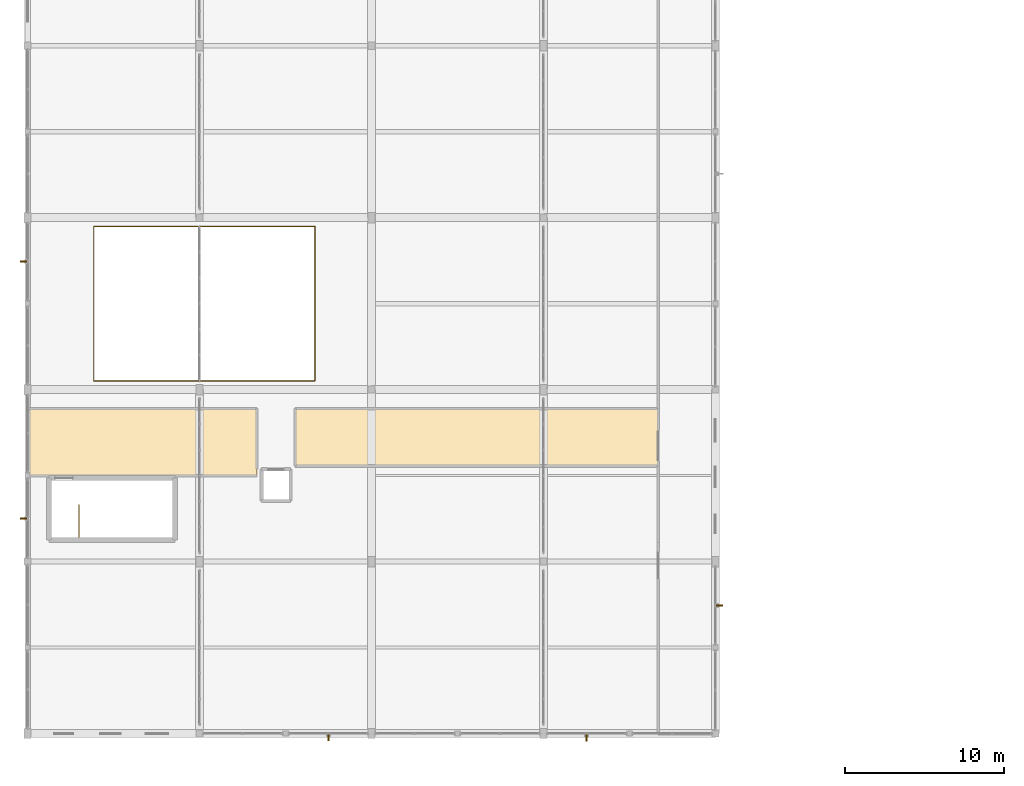
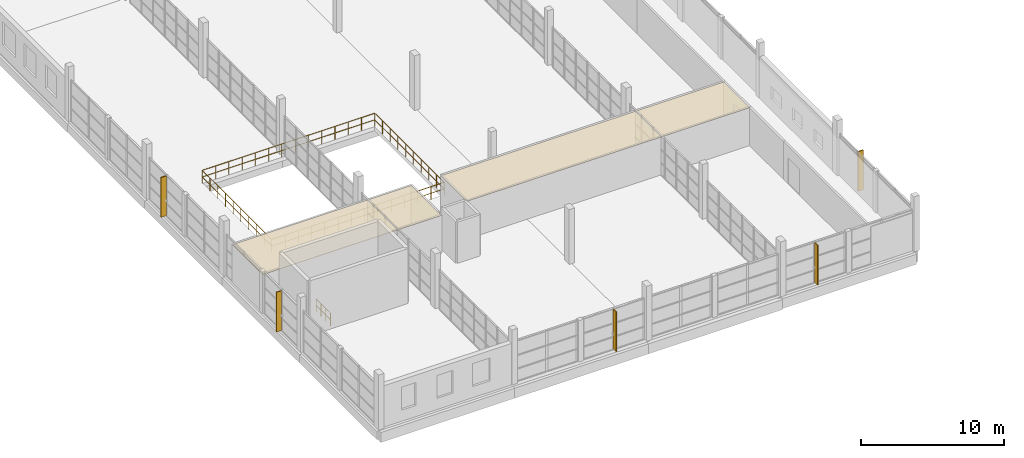
# One storey, part 128 of 142: 5 shading devices, 2 coverings, 2 railings.
"""IFC4 building model written with IfcOpenShell, lengths in metres."""

import ifcopenshell
import ifcopenshell.guid

model = None  # the IFC model being written
_history = None  # IfcOwnerHistory: only IFC2X3 demands one
_inside = {}  # id of a spatial element -> (the spatial element, [elements in it])
_under = {}  # id of a project, library or spatial element -> (it, [spatial elements below it])
_declared = {}  # id of a project -> (the project, [libraries it declares])
_typed = {}  # id of a type object -> (the type object, [elements of that type])
_made_of = {}  # id of a material, layer set ... -> (it, [elements and type objects made of it])


def new_model(schema):
    """Start an empty IFC model of exactly this schema.

    Asked for "IFC4X3", IfcOpenShell would pick the latest addendum, in which some entities
    have other attributes; the version numbers below select the first issue.
    IFC2X3 requires an IfcOwnerHistory on every rooted entity: one is made here for all.
    """
    global model, _history
    if schema == "IFC4X3":
        model = ifcopenshell.file(schema_version=(4, 3, 0, 0))
    else:
        model = ifcopenshell.file(schema=schema)
    _inside.clear()
    _under.clear()
    _declared.clear()
    _typed.clear()
    _made_of.clear()
    _history = None
    if model.schema == "IFC2X3":
        org = make("IfcOrganization", Name="unknown")
        user = make(
            "IfcPersonAndOrganization",
            ThePerson=make("IfcPerson", FamilyName="unknown"),
            TheOrganization=org,
        )
        app = make(
            "IfcApplication",
            ApplicationDeveloper=org,
            Version="unknown",
            ApplicationFullName="unknown",
            ApplicationIdentifier="unknown",
        )
        _history = make(
            "IfcOwnerHistory",
            OwningUser=user,
            OwningApplication=app,
            ChangeAction="ADDED",
            CreationDate=0,
        )
    return model


def make(cls, **values):
    """One entity of the class cls with the attributes given. An attribute that is None is left unset."""
    return model.create_entity(
        cls, **{name: value for name, value in values.items() if value is not None}
    )


def rooted(cls, **values):
    """An entity with a GlobalId (a new one), such as an element, a storey or a relation."""
    return make(cls, GlobalId=ifcopenshell.guid.new(), OwnerHistory=_history, **values)


def si_unit(unit_type, name, prefix=None):
    """IfcSIUnit, for example si_unit("LENGTHUNIT", "METRE", prefix="MILLI")."""
    return make("IfcSIUnit", UnitType=unit_type, Prefix=prefix, Name=name)


def assignment(units):
    """IfcUnitAssignment: the units of a project."""
    return None if units is None else make("IfcUnitAssignment", Units=units)


def point(xyz):
    """IfcCartesianPoint."""
    return None if xyz is None else make("IfcCartesianPoint", Coordinates=xyz)


def direction(xyz):
    """IfcDirection."""
    return None if xyz is None else make("IfcDirection", DirectionRatios=xyz)


def frame(location, z_axis=None, x_axis=None):
    """IfcAxis2Placement3D, a coordinate frame: its origin and axes. An axis left out is left unset."""
    return make(
        "IfcAxis2Placement3D",
        Location=point(location),
        Axis=direction(z_axis),
        RefDirection=direction(x_axis),
    )


def frame_2d(location, x_axis=None):
    """IfcAxis2Placement2D, a coordinate frame in the plane: its origin and x axis."""
    return make(
        "IfcAxis2Placement2D", Location=point(location), RefDirection=direction(x_axis)
    )


def origin():
    """The frame at (0, 0, 0) with its axes left unset."""
    return frame((0.0, 0.0, 0.0))


def origin_2d():
    """The frame at (0, 0) in the plane with its x axis left unset."""
    return frame_2d((0.0, 0.0))


def place(relative_to, where):
    """IfcLocalPlacement: puts the frame where relative to a parent placement (None: the world)."""
    return make(
        "IfcLocalPlacement", PlacementRelTo=relative_to, RelativePlacement=where
    )


def context(
    kind, dimensions, precision=None, world=None, true_north=None, identifier=None
):
    """IfcGeometricRepresentationContext, for example the 3D "Model" context."""
    return make(
        "IfcGeometricRepresentationContext",
        ContextIdentifier=identifier,
        ContextType=kind,
        CoordinateSpaceDimension=dimensions,
        Precision=precision,
        WorldCoordinateSystem=world,
        TrueNorth=true_north,
    )


def subcontext(parent, identifier, kind, view, scale=None):
    """IfcGeometricRepresentationSubContext, for example "Body" below "Model"."""
    return make(
        "IfcGeometricRepresentationSubContext",
        ContextIdentifier=identifier,
        ContextType=kind,
        ParentContext=parent,
        TargetScale=scale,
        TargetView=view,
    )


def project(units=None, contexts=None):
    """IfcProject with its units and contexts."""
    return rooted(
        "IfcProject",
        Name="project",
        RepresentationContexts=contexts,
        UnitsInContext=assignment(units),
    )


def spatial(cls, under=None, at=None, **own):
    """A site, building, storey or space (cls), placed at a placement, below another one or the project."""
    s = rooted(cls, ObjectPlacement=at, **own)
    if under is not None:
        _under.setdefault(under.id(), (under, []))[1].append(s)
    return s


def polyline(points):
    """IfcPolyline through the points."""
    return make("IfcPolyline", Points=[point(p) for p in points])


def profile(cls, at=None, kind="AREA", **sizes):
    """A parametric profile (cls). Its sizes go by their IFC names, for example OverallWidth=200.0."""
    return make(cls, ProfileType=kind, Position=at, **sizes)


def rectangle(**sizes):
    """IfcRectangleProfileDef."""
    return profile("IfcRectangleProfileDef", **sizes)


def circle(**sizes):
    """IfcCircleProfileDef."""
    return profile("IfcCircleProfileDef", **sizes)


def outline(outer, holes=None, kind="AREA"):
    """IfcArbitraryClosedProfileDef: a profile drawn as a closed curve; with holes, ...WithVoids."""
    if holes is None:
        return make("IfcArbitraryClosedProfileDef", ProfileType=kind, OuterCurve=outer)
    return make(
        "IfcArbitraryProfileDefWithVoids",
        ProfileType=kind,
        OuterCurve=outer,
        InnerCurves=holes,
    )


def extrude(swept, where, along, depth):
    """IfcExtrudedAreaSolid: the profile swept, set in the frame where, extruded along a direction by depth."""
    return make(
        "IfcExtrudedAreaSolid",
        SweptArea=swept,
        Position=where,
        ExtrudedDirection=direction(along),
        Depth=depth,
    )


def shape(context_of_items, identifier, shape_type, items):
    """IfcShapeRepresentation: the items that make up one representation, for example the "Body"."""
    return make(
        "IfcShapeRepresentation",
        ContextOfItems=context_of_items,
        RepresentationIdentifier=identifier,
        RepresentationType=shape_type,
        Items=items,
    )


def material(Name=None, Category=None):
    """IfcMaterial."""
    return make("IfcMaterial", Name=Name, Category=Category)


def layer(
    of_material, thickness, ventilated=None, Name=None, Category=None, Priority=None
):
    """IfcMaterialLayer: one layer of a wall or slab, of a material (None: an air gap)."""
    return make(
        "IfcMaterialLayer",
        Material=of_material,
        LayerThickness=thickness,
        IsVentilated=ventilated,
        Name=Name,
        Category=Category,
        Priority=Priority,
    )


def layer_set(layers, Name=None):
    """IfcMaterialLayerSet."""
    return make("IfcMaterialLayerSet", MaterialLayers=layers, LayerSetName=Name)


def made_of(thing, what):
    """Note that an element or type object is made of a material, layer set ...; save() writes the relation."""
    if what is not None:
        _made_of.setdefault(what.id(), (what, []))[1].append(thing)
    return thing


def type_object(cls, material=None, **own):
    """A type object (cls), such as IfcWallType, which elements share."""
    return made_of(rooted(cls, **own), material)


def element(
    cls,
    number,
    at=None,
    inside=None,
    cuts=None,
    type_object=None,
    material=None,
    context=None,
    identifier="Body",
    shape_type=None,
    held_by="IfcProductDefinitionShape",
    body=None,
    shapes=None,
    **own,
):
    """One element of the class cls, such as IfcWall. Its Tag is "e" and its number.

    at: its placement. inside: the storey or other place that contains it. cuts: it is an
    opening in that element (IfcRelVoidsElement). A single representation is given by context,
    identifier, shape_type and body (its items); several are given by shapes. held_by: the class
    of the entity that holds the representations. save() writes the other relations.
    """
    e = rooted(cls, Tag="e%d" % number, ObjectPlacement=at, **own)
    if body is not None:
        shapes = [shape(context, identifier, shape_type, body)]
    if shapes is not None:
        e.Representation = make(held_by, Representations=shapes)
    if inside is not None:
        _inside.setdefault(inside.id(), (inside, []))[1].append(e)
    if cuts is not None:
        rooted(
            "IfcRelVoidsElement", RelatingBuildingElement=cuts, RelatedOpeningElement=e
        )
    if type_object is not None:
        _typed.setdefault(type_object.id(), (type_object, []))[1].append(e)
    return made_of(e, material)


def aggregate(whole, parts):
    """IfcRelAggregates: a whole, such as a stair, and the parts it consists of."""
    return rooted("IfcRelAggregates", RelatingObject=whole, RelatedObjects=parts)


def save(model, path):
    """Write the relations noted so far, then the file.

    IfcRelAggregates (storeys below a building ...), IfcRelContainedInSpatialStructure (elements
    in a storey), IfcRelDefinesByType, IfcRelAssociatesMaterial and IfcRelDeclares: one each for
    every whole, place, type object, material and project.
    """
    for whole, parts in _under.values():
        aggregate(whole, parts)
    for where, things in _inside.values():
        rooted(
            "IfcRelContainedInSpatialStructure",
            RelatedElements=things,
            RelatingStructure=where,
        )
    for kind, things in _typed.values():
        rooted("IfcRelDefinesByType", RelatedObjects=things, RelatingType=kind)
    for what, things in _made_of.values():
        rooted("IfcRelAssociatesMaterial", RelatedObjects=things, RelatingMaterial=what)
    for by, libraries in _declared.values():
        rooted("IfcRelDeclares", RelatingContext=by, RelatedDefinitions=libraries)
    model.write(path)


model = new_model("IFC4")

# Units and contexts
model_context = context("Model", 3, precision=1e-05, world=origin(), true_north=direction((0.0, 1.0)))
body_context = subcontext(model_context, "Body", "Model", "MODEL_VIEW")
ifc_project = project(units=[si_unit("LENGTHUNIT", "METRE"), si_unit("AREAUNIT", "SQUARE_METRE"), si_unit("VOLUMEUNIT", "CUBIC_METRE"), si_unit("PLANEANGLEUNIT", "RADIAN"), si_unit("MASSUNIT", "GRAM", prefix="KILO")], contexts=[model_context])

# Site, building, storey
site_placement = place(None, origin())
site = spatial("IfcSite", under=ifc_project, at=site_placement, CompositionType="ELEMENT")
building_placement = place(site_placement, origin())
building = spatial("IfcBuilding", under=site, at=building_placement, Name="Zwinboog Wholesale Market", CompositionType="ELEMENT")
storey_placement = place(building_placement, frame((0.0, 0.0, 5.39990234375)))
storey = spatial("IfcBuildingStorey", under=building, at=storey_placement, Name="L01", CompositionType="ELEMENT", Elevation=5.39990234375)

# Shading devices
ifc_material_1 = material(Name="Western red cedar timber", Category="wood")
shading_device_type = type_object("IfcShadingDeviceType", Name="SHD-FIN-CEDAR", PredefinedType="USERDEFINED", material=ifc_material_1)
for number, where, z_axis, x_axis, name in (
    (1, (-0.27001953125, 13.510009765625, 0.080078125), (0.0, 0.0, 1.0), (1.0, 0.0, 0.0), "FN-01 (SHD-FIN-016)"),
    (2, (-0.2548828125, 29.639892578125, 0.080078125), (0.0, 0.0, 1.0), (1.0, 0.0, 0.0), "FN-01 (SHD-FIN-017)"),
    (3, (18.889892578125, -0.2548828125, 0.080078125), (0.0, 0.0, 1.0), (0.0, 1.0, 0.0), "FN-01 (SHD-FIN-021)"),
    (4, (35.110107421875, -0.27001953125, 0.080078125), (0.0, 0.0, 1.0), (0.0, 1.0, 0.0), "FN-01 (SHD-FIN-022)"),
    (5, (43.455078125, 8.0400390625, 0.080078125), (0.0, 0.0, 1.0), (1.0, 0.0, 0.0), "FN-01 (SHD-FIN-023)"),
):
    element("IfcShadingDevice", number, at=place(storey_placement, frame(where, z_axis=z_axis, x_axis=x_axis)), inside=storey, type_object=shading_device_type, Name=name, ObjectType="FIN", PredefinedType="USERDEFINED", context=body_context, shape_type="SweptSolid", body=[
        extrude(rectangle(XDim=0.419921875, YDim=0.0849609375, at=origin_2d()), origin(), (0.0, 0.0, 1.0), 3.3798828125),
    ])

# Railings
ifc_material_2 = material(Name="Steel S355", Category="steel")
railing_type = type_object("IfcRailingType", Name="RLT-INT-GUARD", PredefinedType="BALUSTRADE", material=ifc_material_2)
railing_1_placement = place(storey_placement, frame((3.219970703125, 14.340087890625, 0.0)))
element("IfcRailing", 6, at=railing_1_placement, inside=storey, type_object=railing_type, Name="GR-02 (RLG-ST-01-GTOP)", PredefinedType="BALUSTRADE", context=body_context, shape_type="SweptSolid", body=[
    extrude(circle(Radius=0.02392578125, at=origin_2d()), frame((0.0, 0.0, 1.09619140625), z_axis=(0.0, -1.0, 0.0), x_axis=(1.0, 0.0, 0.0)), (0.0, 0.0, 1.0), 2.0),
    extrude(circle(Radius=0.02392578125, at=origin_2d()), frame((0.0, 0.0, 0.5361328125), z_axis=(0.0, -1.0, 0.0), x_axis=(1.0, 0.0, 0.0)), (0.0, 0.0, 1.0), 2.0),
    extrude(circle(Radius=0.02099609375, at=origin_2d()), origin(), (0.0, 0.0, 1.0), 1.072021484375),
    extrude(circle(Radius=0.02099609375, at=origin_2d()), frame((0.0, -0.666748046875, 0.0)), (0.0, 0.0, 1.0), 1.072021484375),
    extrude(circle(Radius=0.02099609375, at=origin_2d()), frame((0.0, -1.333251953125, 0.0)), (0.0, 0.0, 1.0), 1.072021484375),
    extrude(circle(Radius=0.02099609375, at=origin_2d()), frame((0.0, -2.0, 0.0)), (0.0, 0.0, 1.0), 1.072021484375),
])
railing_2_placement = place(storey_placement, frame((4.14990234375, 22.14990234375, 0.0)))
element("IfcRailing", 7, at=railing_2_placement, inside=storey, type_object=railing_type, Name="GR-02 (RLG-VOID-02)", PredefinedType="BALUSTRADE", context=body_context, shape_type="SweptSolid", body=[
    extrude(circle(Radius=0.02392578125, at=origin_2d()), frame((0.0, 0.0, 1.09619140625), z_axis=(1.0, 0.0, 0.0), x_axis=(0.0, 1.0, 0.0)), (0.0, 0.0, 1.0), 13.900146484375),
    extrude(circle(Radius=0.02392578125, at=origin_2d()), frame((0.0, 0.0, 0.5361328125), z_axis=(1.0, 0.0, 0.0), x_axis=(0.0, 1.0, 0.0)), (0.0, 0.0, 1.0), 13.900146484375),
    extrude(circle(Radius=0.02392578125, at=origin_2d()), frame((13.900146484375, 0.0, 1.09619140625), z_axis=(0.0, 1.0, 0.0), x_axis=(-1.0, 0.0, 0.0)), (0.0, 0.0, 1.0), 9.7001953125),
    extrude(circle(Radius=0.02392578125, at=origin_2d()), frame((13.900146484375, 0.0, 0.5361328125), z_axis=(0.0, 1.0, 0.0), x_axis=(-1.0, 0.0, 0.0)), (0.0, 0.0, 1.0), 9.7001953125),
    extrude(circle(Radius=0.02392578125, at=origin_2d()), frame((13.900146484375, 9.7001953125, 1.09619140625), z_axis=(-1.0, 0.0, 0.0), x_axis=(0.0, -1.0, 0.0)), (0.0, 0.0, 1.0), 13.900146484375),
    extrude(circle(Radius=0.02392578125, at=origin_2d()), frame((13.900146484375, 9.7001953125, 0.5361328125), z_axis=(-1.0, 0.0, 0.0), x_axis=(0.0, -1.0, 0.0)), (0.0, 0.0, 1.0), 13.900146484375),
    extrude(circle(Radius=0.02392578125, at=origin_2d()), frame((0.0, 9.7001953125, 1.09619140625), z_axis=(0.0, -1.0, 0.0), x_axis=(1.0, 0.0, 0.0)), (0.0, 0.0, 1.0), 9.7001953125),
    extrude(circle(Radius=0.02392578125, at=origin_2d()), frame((0.0, 9.7001953125, 0.5361328125), z_axis=(0.0, -1.0, 0.0), x_axis=(1.0, 0.0, 0.0)), (0.0, 0.0, 1.0), 9.7001953125),
    extrude(circle(Radius=0.02099609375, at=origin_2d()), origin(), (0.0, 0.0, 1.0), 1.072021484375),
    extrude(circle(Radius=0.02099609375, at=origin_2d()), frame((1.0693359375, 0.0, 0.0)), (0.0, 0.0, 1.0), 1.072021484375),
    extrude(circle(Radius=0.02099609375, at=origin_2d()), frame((2.138427734375, 0.0, 0.0)), (0.0, 0.0, 1.0), 1.072021484375),
    extrude(circle(Radius=0.02099609375, at=origin_2d()), frame((3.207763671875, 0.0, 0.0)), (0.0, 0.0, 1.0), 1.072021484375),
    extrude(circle(Radius=0.02099609375, at=origin_2d()), frame((4.27685546875, 0.0, 0.0)), (0.0, 0.0, 1.0), 1.072021484375),
    extrude(circle(Radius=0.02099609375, at=origin_2d()), frame((5.34619140625, 0.0, 0.0)), (0.0, 0.0, 1.0), 1.072021484375),
    extrude(circle(Radius=0.02099609375, at=origin_2d()), frame((6.41552734375, 0.0, 0.0)), (0.0, 0.0, 1.0), 1.072021484375),
    extrude(circle(Radius=0.02099609375, at=origin_2d()), frame((7.484619140625, 0.0, 0.0)), (0.0, 0.0, 1.0), 1.072021484375),
    extrude(circle(Radius=0.02099609375, at=origin_2d()), frame((8.553955078125, 0.0, 0.0)), (0.0, 0.0, 1.0), 1.072021484375),
    extrude(circle(Radius=0.02099609375, at=origin_2d()), frame((9.623291015625, 0.0, 0.0)), (0.0, 0.0, 1.0), 1.072021484375),
    extrude(circle(Radius=0.02099609375, at=origin_2d()), frame((10.6923828125, 0.0, 0.0)), (0.0, 0.0, 1.0), 1.072021484375),
    extrude(circle(Radius=0.02099609375, at=origin_2d()), frame((11.76171875, 0.0, 0.0)), (0.0, 0.0, 1.0), 1.072021484375),
    extrude(circle(Radius=0.02099609375, at=origin_2d()), frame((12.830810546875, 0.0, 0.0)), (0.0, 0.0, 1.0), 1.072021484375),
    extrude(circle(Radius=0.02099609375, at=origin_2d()), frame((13.900146484375, 0.0, 0.0)), (0.0, 0.0, 1.0), 1.072021484375),
    extrude(circle(Radius=0.02099609375, at=origin_2d()), frame((13.900146484375, 1.077880859375, 0.0)), (0.0, 0.0, 1.0), 1.072021484375),
    extrude(circle(Radius=0.02099609375, at=origin_2d()), frame((13.900146484375, 2.155517578125, 0.0)), (0.0, 0.0, 1.0), 1.072021484375),
    extrude(circle(Radius=0.02099609375, at=origin_2d()), frame((13.900146484375, 3.2333984375, 0.0)), (0.0, 0.0, 1.0), 1.072021484375),
    extrude(circle(Radius=0.02099609375, at=origin_2d()), frame((13.900146484375, 4.311279296875, 0.0)), (0.0, 0.0, 1.0), 1.072021484375),
    extrude(circle(Radius=0.02099609375, at=origin_2d()), frame((13.900146484375, 5.388916015625, 0.0)), (0.0, 0.0, 1.0), 1.072021484375),
    extrude(circle(Radius=0.02099609375, at=origin_2d()), frame((13.900146484375, 6.466796875, 0.0)), (0.0, 0.0, 1.0), 1.072021484375),
    extrude(circle(Radius=0.02099609375, at=origin_2d()), frame((13.900146484375, 7.544677734375, 0.0)), (0.0, 0.0, 1.0), 1.072021484375),
    extrude(circle(Radius=0.02099609375, at=origin_2d()), frame((13.900146484375, 8.622314453125, 0.0)), (0.0, 0.0, 1.0), 1.072021484375),
    extrude(circle(Radius=0.02099609375, at=origin_2d()), frame((13.900146484375, 9.7001953125, 0.0)), (0.0, 0.0, 1.0), 1.072021484375),
    extrude(circle(Radius=0.02099609375, at=origin_2d()), frame((12.830810546875, 9.7001953125, 0.0)), (0.0, 0.0, 1.0), 1.072021484375),
    extrude(circle(Radius=0.02099609375, at=origin_2d()), frame((11.76171875, 9.7001953125, 0.0)), (0.0, 0.0, 1.0), 1.072021484375),
    extrude(circle(Radius=0.02099609375, at=origin_2d()), frame((10.6923828125, 9.7001953125, 0.0)), (0.0, 0.0, 1.0), 1.072021484375),
    extrude(circle(Radius=0.02099609375, at=origin_2d()), frame((9.623291015625, 9.7001953125, 0.0)), (0.0, 0.0, 1.0), 1.072021484375),
    extrude(circle(Radius=0.02099609375, at=origin_2d()), frame((8.553955078125, 9.7001953125, 0.0)), (0.0, 0.0, 1.0), 1.072021484375),
    extrude(circle(Radius=0.02099609375, at=origin_2d()), frame((7.484619140625, 9.7001953125, 0.0)), (0.0, 0.0, 1.0), 1.072021484375),
    extrude(circle(Radius=0.02099609375, at=origin_2d()), frame((6.41552734375, 9.7001953125, 0.0)), (0.0, 0.0, 1.0), 1.072021484375),
    extrude(circle(Radius=0.02099609375, at=origin_2d()), frame((5.34619140625, 9.7001953125, 0.0)), (0.0, 0.0, 1.0), 1.072021484375),
    extrude(circle(Radius=0.02099609375, at=origin_2d()), frame((4.27685546875, 9.7001953125, 0.0)), (0.0, 0.0, 1.0), 1.072021484375),
    extrude(circle(Radius=0.02099609375, at=origin_2d()), frame((3.207763671875, 9.7001953125, 0.0)), (0.0, 0.0, 1.0), 1.072021484375),
    extrude(circle(Radius=0.02099609375, at=origin_2d()), frame((2.138427734375, 9.7001953125, 0.0)), (0.0, 0.0, 1.0), 1.072021484375),
    extrude(circle(Radius=0.02099609375, at=origin_2d()), frame((1.0693359375, 9.7001953125, 0.0)), (0.0, 0.0, 1.0), 1.072021484375),
    extrude(circle(Radius=0.02099609375, at=origin_2d()), frame((0.0, 9.7001953125, 0.0)), (0.0, 0.0, 1.0), 1.072021484375),
    extrude(circle(Radius=0.02099609375, at=origin_2d()), frame((0.0, 8.622314453125, 0.0)), (0.0, 0.0, 1.0), 1.072021484375),
    extrude(circle(Radius=0.02099609375, at=origin_2d()), frame((0.0, 7.544677734375, 0.0)), (0.0, 0.0, 1.0), 1.072021484375),
    extrude(circle(Radius=0.02099609375, at=origin_2d()), frame((0.0, 6.466796875, 0.0)), (0.0, 0.0, 1.0), 1.072021484375),
    extrude(circle(Radius=0.02099609375, at=origin_2d()), frame((0.0, 5.388916015625, 0.0)), (0.0, 0.0, 1.0), 1.072021484375),
    extrude(circle(Radius=0.02099609375, at=origin_2d()), frame((0.0, 4.311279296875, 0.0)), (0.0, 0.0, 1.0), 1.072021484375),
    extrude(circle(Radius=0.02099609375, at=origin_2d()), frame((0.0, 3.2333984375, 0.0)), (0.0, 0.0, 1.0), 1.072021484375),
    extrude(circle(Radius=0.02099609375, at=origin_2d()), frame((0.0, 2.155517578125, 0.0)), (0.0, 0.0, 1.0), 1.072021484375),
    extrude(circle(Radius=0.02099609375, at=origin_2d()), frame((0.0, 1.077880859375, 0.0)), (0.0, 0.0, 1.0), 1.072021484375),
])

# Coverings
ifc_material_3 = material(Name="Hygienic washable acoustic gypsum ceiling")
ifc_layer = layer(ifc_material_3, 0.050048828125)
ifc_layer_set = layer_set([ifc_layer], Name="Hygienic washable acoustic gypsum ceiling")
covering_type = type_object("IfcCoveringType", Name="COV-CEIL-HYG", PredefinedType="CEILING", material=ifc_layer_set)
covering_1_placement = place(storey_placement, frame((0.0, 0.0, 3.130126953125)))
element("IfcCovering", 8, at=covering_1_placement, inside=storey, type_object=covering_type, Name="CL-02 (COV-CL-L01-018)", PredefinedType="CEILING", context=body_context, shape_type="SweptSolid", body=[
    extrude(outline(polyline([(0.0, 16.199951171875), (14.39990234375, 16.199951171875), (14.39990234375, 20.39990234375), (0.0, 20.39990234375), (0.0, 16.199951171875)])), origin(), (0.0, 0.0, 1.0), 0.050048828125),
])
covering_2_placement = place(storey_placement, frame((0.0, 0.0, 3.130126953125)))
element("IfcCovering", 9, at=covering_2_placement, inside=storey, type_object=covering_type, Name="CL-02 (COV-CL-L01-019)", PredefinedType="CEILING", context=body_context, shape_type="SweptSolid", body=[
    extrude(outline(polyline([(16.800048828125, 16.800048828125), (39.60009765625, 16.800048828125), (39.60009765625, 20.39990234375), (16.800048828125, 20.39990234375), (16.800048828125, 16.800048828125)])), origin(), (0.0, 0.0, 1.0), 0.050048828125),
])

save(model, "model.ifc")
